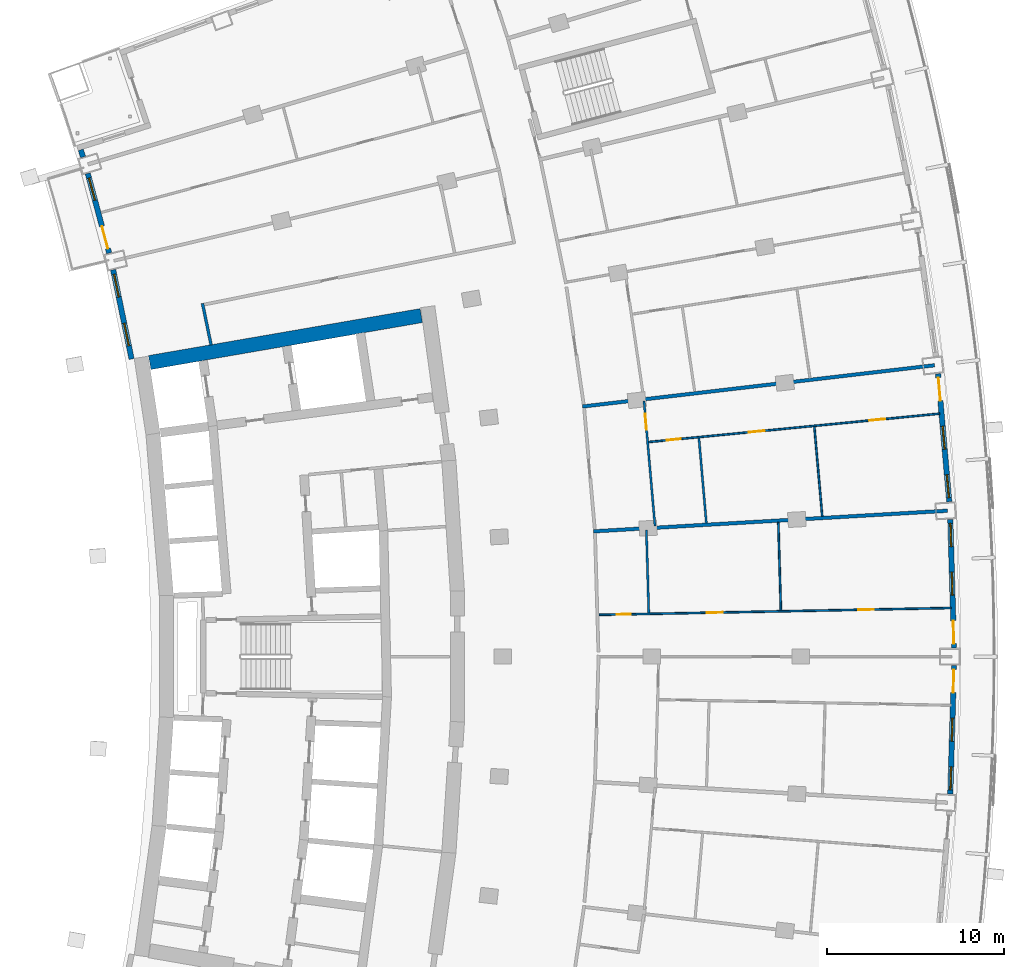
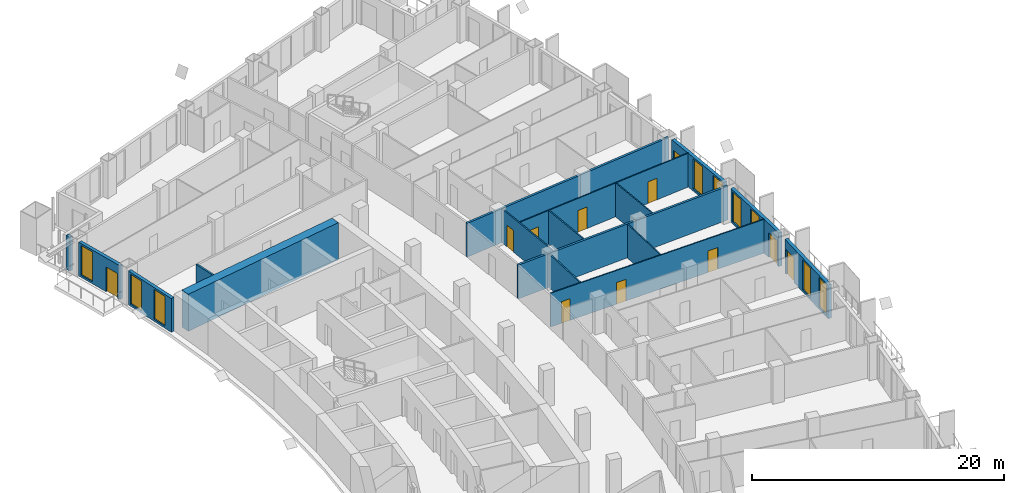
# One storey, part 18 of 25: 17 walls, 11 doors, 9 windows, 20 openings.
"""IFC4 building model written with IfcOpenShell, lengths in metres."""

from ifc_helpers import new_model, si_unit, direction, frame, frame_2d, origin, place, context, subcontext, project, spatial, rectangle, extrude, material, layer, layer_set, type_object, element, fill, save


model = new_model("IFC4")

# Units and contexts
model_context = context("Model", 3, precision=1e-05, world=origin(), true_north=direction((0.0, 1.0)))
body_context = subcontext(model_context, "Body", "Model", "MODEL_VIEW")
ifc_project = project(units=[si_unit("LENGTHUNIT", "METRE"), si_unit("AREAUNIT", "SQUARE_METRE"), si_unit("VOLUMEUNIT", "CUBIC_METRE"), si_unit("PLANEANGLEUNIT", "RADIAN"), si_unit("MASSUNIT", "GRAM", prefix="KILO")], contexts=[model_context])

# Site, building, storey
site_placement = place(None, origin())
site = spatial("IfcSite", under=ifc_project, at=site_placement, CompositionType="ELEMENT")
building_placement = place(site_placement, origin())
building = spatial("IfcBuilding", under=site, at=building_placement, Name="Alderwake Tower", CompositionType="ELEMENT")
storey_placement = place(building_placement, frame((0.0, 0.0, 111.199951171875)))
storey = spatial("IfcBuildingStorey", under=building, at=storey_placement, Name="L27", CompositionType="ELEMENT", Elevation=111.199951171875)

# Walls
ifc_material_1 = material(Name="Concrete C70/85", Category="concrete")
ifc_layer_1 = layer(ifc_material_1, 0.800048828125)
ifc_layer_set_1 = layer_set([ifc_layer_1], Name="Core wall outer 800 C70-85")
wall_type_1 = type_object("IfcWallType", Name="Core wall outer 800 C70-85", PredefinedType="SHEAR", material=ifc_layer_set_1)
wall_1_placement = place(storey_placement, frame((15.900146484375, 77.577880859375, 0.0), z_axis=(0.0, 0.0, 1.0), x_axis=(0.985386601125, 0.170332751763, 0.0)))
element("IfcWall", 1, at=wall_1_placement, inside=storey, type_object=wall_type_1, Name="Core wall CW.054", PredefinedType="SHEAR", context=body_context, shape_type="SweptSolid", body=[
    extrude(rectangle(XDim=15.531494140625, YDim=0.800048828125, at=frame_2d((7.765625, 0.0))), origin(), (0.0, 0.0, 1.0), 3.60009765625),
])
ifc_material_2 = material(Name="Gypsum board on metal studs, rated")
ifc_layer_2 = layer(ifc_material_2, 0.159912109375)
ifc_layer_set_2 = layer_set([ifc_layer_2], Name="Corridor wall 160")
wall_type_2 = type_object("IfcWallType", Name="Corridor wall 160", PredefinedType="PARTITIONING", material=ifc_layer_set_2)
wall_2_placement = place(storey_placement, frame((18.874755859375, 80.910400390625, 0.0), z_axis=(0.0, 0.0, 1.0), x_axis=(0.202312089075, -0.979321100873, 0.0)))
element("IfcWall", 2, at=wall_2_placement, inside=storey, type_object=wall_type_2, Name="WL/L27/W19", PredefinedType="PARTITIONING", context=body_context, shape_type="SweptSolid", body=[
    extrude(rectangle(XDim=2.39306640625, YDim=0.159912109375, at=frame_2d((1.196533203125, 0.0))), origin(), (0.0, 0.0, 1.0), 3.280029296875),
])

# Wall, openings, door, windows
ifc_material_3 = material(Name="Precast concrete C50/60 spandrel panel", Category="concrete")
ifc_layer_3 = layer(ifc_material_3, 0.300048828125)
ifc_layer_set_3 = layer_set([ifc_layer_3], Name="External wall EW1 Precast concrete C50/60 spandrel")
wall_type_3 = type_object("IfcWallType", Name="External wall EW1 Precast concrete C50/60 spandrel", PredefinedType="SOLIDWALL", material=ifc_layer_set_3)
wall_3_placement = place(storey_placement, frame((61.0244140625, 53.263916015625, 0.0), z_axis=(0.0, 0.0, 1.0), x_axis=(0.029132510791, 0.999575558332, 0.0)))
wall_3 = element("IfcWall", 3, at=wall_3_placement, inside=storey, type_object=wall_type_3, Name="External wall 16", PredefinedType="SOLIDWALL", context=body_context, shape_type="SweptSolid", body=[
    extrude(rectangle(XDim=7.24072265625, YDim=0.300048828125, at=frame_2d((3.620361328125, 0.0))), origin(), (0.0, 0.0, 1.0), 3.280029296875),
])
opening_1_placement = place(wall_3_placement, frame((0.22900390625, 0.0, 0.199951171875)))
opening_1 = element("IfcOpeningElement", 4, at=opening_1_placement, cuts=wall_3, Name="Opening W1", PredefinedType="OPENING", context=body_context, shape_type="SweptSolid", body=[
    extrude(rectangle(XDim=1.300048828125, YDim=2.89990234375, at=frame_2d((0.64990234375, 1.449951171875))), frame((0.0, 0.159912109375, 0.0), z_axis=(0.0, -1.0, 0.0), x_axis=(1.0, 0.0, 0.0)), (0.0, 0.0, 1.0), 0.320068359375),
])
opening_2_placement = place(wall_3_placement, frame((2.97021484375, 0.0, 0.199951171875)))
opening_2 = element("IfcOpeningElement", 5, at=opening_2_placement, cuts=wall_3, Name="Opening W1", PredefinedType="OPENING", context=body_context, shape_type="SweptSolid", body=[
    extrude(rectangle(XDim=1.300048828125, YDim=2.89990234375, at=frame_2d((0.64990234375, 1.449951171875))), frame((0.0, 0.159912109375, 0.0), z_axis=(0.0, -1.0, 0.0), x_axis=(1.0, 0.0, 0.0)), (0.0, 0.0, 1.0), 0.320068359375),
])
opening_3_placement = place(wall_3_placement, frame((5.711669921875, 0.0, 0.0)))
opening_3 = element("IfcOpeningElement", 6, at=opening_3_placement, cuts=wall_3, Name="Opening D06", PredefinedType="OPENING", context=body_context, shape_type="SweptSolid", body=[
    extrude(rectangle(XDim=1.300048828125, YDim=2.39990234375, at=frame_2d((0.64990234375, 1.199951171875))), frame((0.0, 0.159912109375, 0.0), z_axis=(0.0, -1.0, 0.0), x_axis=(1.0, 0.0, 0.0)), (0.0, 0.0, 1.0), 0.320068359375),
])
ifc_material_4 = material(Name="Bronze tinted glass in aluminium frame", Category="aluminium")
door_type_1 = type_object("IfcDoorType", Name="Balcony door BD sliding", OperationType="SLIDING_TO_LEFT", PredefinedType="DOOR", material=ifc_material_4)
door_1_placement = place(opening_3_placement, origin())
door_1 = element("IfcDoor", 7, at=door_1_placement, inside=storey, type_object=door_type_1, Name="Door D06", OperationType="SLIDING_TO_LEFT", OverallHeight=2.39990234375, OverallWidth=1.300048828125, PredefinedType="DOOR", context=body_context, shape_type="SweptSolid", body=[
    extrude(rectangle(XDim=1.300048828125, YDim=2.39990234375, at=frame_2d((0.64990234375, 1.199951171875))), frame((0.0, 0.02490234375, 0.0), z_axis=(0.0, -1.0, 0.0), x_axis=(1.0, 0.0, 0.0)), (0.0, 0.0, 1.0), 0.050048828125),
])
fill(opening_3, door_1)
ifc_material_5 = material(Name="Bronze tinted glass in aluminium frame", Category="aluminium")
window_type = type_object("IfcWindowType", Name="Window W1 tall fixed and vent", PartitioningType="DOUBLE_PANEL_VERTICAL", PredefinedType="WINDOW", material=ifc_material_5)
window_1_placement = place(opening_1_placement, origin())
window_1 = element("IfcWindow", 8, at=window_1_placement, inside=storey, type_object=window_type, Name="Window W1 tall fixed and vent", OverallHeight=2.89990234375, OverallWidth=1.300048828125, PartitioningType="DOUBLE_PANEL_VERTICAL", PredefinedType="WINDOW", context=body_context, shape_type="SweptSolid", body=[
    extrude(rectangle(XDim=1.300048828125, YDim=2.89990234375, at=frame_2d((0.64990234375, 1.449951171875))), frame((0.0, 0.030029296875, 0.0), z_axis=(0.0, -1.0, 0.0), x_axis=(1.0, 0.0, 0.0)), (0.0, 0.0, 1.0), 0.06005859375),
])
fill(opening_1, window_1)
window_2_placement = place(opening_2_placement, origin())
window_2 = element("IfcWindow", 9, at=window_2_placement, inside=storey, type_object=window_type, Name="Window W1 tall fixed and vent", OverallHeight=2.89990234375, OverallWidth=1.300048828125, PartitioningType="DOUBLE_PANEL_VERTICAL", PredefinedType="WINDOW", context=body_context, shape_type="SweptSolid", body=[
    extrude(rectangle(XDim=1.300048828125, YDim=2.89990234375, at=frame_2d((0.64990234375, 1.449951171875))), frame((0.0, 0.030029296875, 0.0), z_axis=(0.0, -1.0, 0.0), x_axis=(1.0, 0.0, 0.0)), (0.0, 0.0, 1.0), 0.06005859375),
])
fill(opening_2, window_2)

wall_4_placement = place(storey_placement, frame((61.2353515625, 61.49853515625, 0.0), z_axis=(0.0, 0.0, 1.0), x_axis=(-0.029132510791, 0.999575558332, 0.0)))
wall_4 = element("IfcWall", 10, at=wall_4_placement, inside=storey, type_object=wall_type_3, Name="External wall 17", PredefinedType="SOLIDWALL", context=body_context, shape_type="SweptSolid", body=[
    extrude(rectangle(XDim=7.24072265625, YDim=0.300048828125, at=frame_2d((3.620361328125, 0.0))), origin(), (0.0, 0.0, 1.0), 3.280029296875),
])
opening_4_placement = place(wall_4_placement, frame((0.22900390625, 0.0, 0.0)))
opening_4 = element("IfcOpeningElement", 11, at=opening_4_placement, cuts=wall_4, Name="Opening D07", PredefinedType="OPENING", context=body_context, shape_type="SweptSolid", body=[
    extrude(rectangle(XDim=1.300048828125, YDim=2.39990234375, at=frame_2d((0.64990234375, 1.199951171875))), frame((0.0, 0.159912109375, 0.0), z_axis=(0.0, -1.0, 0.0), x_axis=(1.0, 0.0, 0.0)), (0.0, 0.0, 1.0), 0.320068359375),
])
opening_5_placement = place(wall_4_placement, frame((2.97021484375, 0.0, 0.199951171875)))
opening_5 = element("IfcOpeningElement", 12, at=opening_5_placement, cuts=wall_4, Name="Opening W1", PredefinedType="OPENING", context=body_context, shape_type="SweptSolid", body=[
    extrude(rectangle(XDim=1.300048828125, YDim=2.89990234375, at=frame_2d((0.64990234375, 1.449951171875))), frame((0.0, 0.159912109375, 0.0), z_axis=(0.0, -1.0, 0.0), x_axis=(1.0, 0.0, 0.0)), (0.0, 0.0, 1.0), 0.320068359375),
])
opening_6_placement = place(wall_4_placement, frame((5.711669921875, 0.0, 0.199951171875)))
opening_6 = element("IfcOpeningElement", 13, at=opening_6_placement, cuts=wall_4, Name="Opening W1", PredefinedType="OPENING", context=body_context, shape_type="SweptSolid", body=[
    extrude(rectangle(XDim=1.300048828125, YDim=2.89990234375, at=frame_2d((0.64990234375, 1.449951171875))), frame((0.0, 0.159912109375, 0.0), z_axis=(0.0, -1.0, 0.0), x_axis=(1.0, 0.0, 0.0)), (0.0, 0.0, 1.0), 0.320068359375),
])
door_2_placement = place(opening_4_placement, origin())
door_2 = element("IfcDoor", 14, at=door_2_placement, inside=storey, type_object=door_type_1, Name="Door D07", OperationType="SLIDING_TO_LEFT", OverallHeight=2.39990234375, OverallWidth=1.300048828125, PredefinedType="DOOR", context=body_context, shape_type="SweptSolid", body=[
    extrude(rectangle(XDim=1.300048828125, YDim=2.39990234375, at=frame_2d((0.64990234375, 1.199951171875))), frame((0.0, 0.02490234375, 0.0), z_axis=(0.0, -1.0, 0.0), x_axis=(1.0, 0.0, 0.0)), (0.0, 0.0, 1.0), 0.050048828125),
])
fill(opening_4, door_2)
window_3_placement = place(opening_5_placement, origin())
window_3 = element("IfcWindow", 15, at=window_3_placement, inside=storey, type_object=window_type, Name="Window W1 tall fixed and vent", OverallHeight=2.89990234375, OverallWidth=1.300048828125, PartitioningType="DOUBLE_PANEL_VERTICAL", PredefinedType="WINDOW", context=body_context, shape_type="SweptSolid", body=[
    extrude(rectangle(XDim=1.300048828125, YDim=2.89990234375, at=frame_2d((0.64990234375, 1.449951171875))), frame((0.0, 0.030029296875, 0.0), z_axis=(0.0, -1.0, 0.0), x_axis=(1.0, 0.0, 0.0)), (0.0, 0.0, 1.0), 0.06005859375),
])
fill(opening_5, window_3)
window_4_placement = place(opening_6_placement, origin())
window_4 = element("IfcWindow", 16, at=window_4_placement, inside=storey, type_object=window_type, Name="Window W1 tall fixed and vent", OverallHeight=2.89990234375, OverallWidth=1.300048828125, PartitioningType="DOUBLE_PANEL_VERTICAL", PredefinedType="WINDOW", context=body_context, shape_type="SweptSolid", body=[
    extrude(rectangle(XDim=1.300048828125, YDim=2.89990234375, at=frame_2d((0.64990234375, 1.449951171875))), frame((0.0, 0.030029296875, 0.0), z_axis=(0.0, -1.0, 0.0), x_axis=(1.0, 0.0, 0.0)), (0.0, 0.0, 1.0), 0.06005859375),
])
fill(opening_6, window_4)

wall_5_placement = place(storey_placement, frame((60.96630859375, 69.731689453125, 0.0), z_axis=(0.0, 0.0, 1.0), x_axis=(-0.087394900945, 0.996173745533, 0.0)))
wall_5 = element("IfcWall", 17, at=wall_5_placement, inside=storey, type_object=wall_type_3, Name="External wall 18", PredefinedType="SOLIDWALL", context=body_context, shape_type="SweptSolid", body=[
    extrude(rectangle(XDim=7.24072265625, YDim=0.300048828125, at=frame_2d((3.620361328125, 0.0))), origin(), (0.0, 0.0, 1.0), 3.280029296875),
])
opening_7_placement = place(wall_5_placement, frame((0.22900390625, 0.0, 0.199951171875)))
opening_7 = element("IfcOpeningElement", 18, at=opening_7_placement, cuts=wall_5, Name="Opening W1", PredefinedType="OPENING", context=body_context, shape_type="SweptSolid", body=[
    extrude(rectangle(XDim=1.300048828125, YDim=2.89990234375, at=frame_2d((0.64990234375, 1.449951171875))), frame((0.0, 0.159912109375, 0.0), z_axis=(0.0, -1.0, 0.0), x_axis=(1.0, 0.0, 0.0)), (0.0, 0.0, 1.0), 0.320068359375),
])
opening_8_placement = place(wall_5_placement, frame((2.970458984375, 0.0, 0.199951171875)))
opening_8 = element("IfcOpeningElement", 19, at=opening_8_placement, cuts=wall_5, Name="Opening W1", PredefinedType="OPENING", context=body_context, shape_type="SweptSolid", body=[
    extrude(rectangle(XDim=1.300048828125, YDim=2.89990234375, at=frame_2d((0.64990234375, 1.449951171875))), frame((0.0, 0.159912109375, 0.0), z_axis=(0.0, -1.0, 0.0), x_axis=(1.0, 0.0, 0.0)), (0.0, 0.0, 1.0), 0.320068359375),
])
opening_9_placement = place(wall_5_placement, frame((5.711669921875, 0.0, 0.0)))
opening_9 = element("IfcOpeningElement", 20, at=opening_9_placement, cuts=wall_5, Name="Opening D08", PredefinedType="OPENING", context=body_context, shape_type="SweptSolid", body=[
    extrude(rectangle(XDim=1.300048828125, YDim=2.39990234375, at=frame_2d((0.64990234375, 1.199951171875))), frame((0.0, 0.159912109375, 0.0), z_axis=(0.0, -1.0, 0.0), x_axis=(1.0, 0.0, 0.0)), (0.0, 0.0, 1.0), 0.320068359375),
])
door_3_placement = place(opening_9_placement, origin())
door_3 = element("IfcDoor", 21, at=door_3_placement, inside=storey, type_object=door_type_1, Name="Door D08", OperationType="SLIDING_TO_LEFT", OverallHeight=2.39990234375, OverallWidth=1.300048828125, PredefinedType="DOOR", context=body_context, shape_type="SweptSolid", body=[
    extrude(rectangle(XDim=1.300048828125, YDim=2.39990234375, at=frame_2d((0.64990234375, 1.199951171875))), frame((0.0, 0.02490234375, 0.0), z_axis=(0.0, -1.0, 0.0), x_axis=(1.0, 0.0, 0.0)), (0.0, 0.0, 1.0), 0.050048828125),
])
fill(opening_9, door_3)
window_5_placement = place(opening_7_placement, origin())
window_5 = element("IfcWindow", 22, at=window_5_placement, inside=storey, type_object=window_type, Name="Window W1 tall fixed and vent", OverallHeight=2.89990234375, OverallWidth=1.300048828125, PartitioningType="DOUBLE_PANEL_VERTICAL", PredefinedType="WINDOW", context=body_context, shape_type="SweptSolid", body=[
    extrude(rectangle(XDim=1.300048828125, YDim=2.89990234375, at=frame_2d((0.64990234375, 1.449951171875))), frame((0.0, 0.030029296875, 0.0), z_axis=(0.0, -1.0, 0.0), x_axis=(1.0, 0.0, 0.0)), (0.0, 0.0, 1.0), 0.06005859375),
])
fill(opening_7, window_5)
window_6_placement = place(opening_8_placement, origin())
window_6 = element("IfcWindow", 23, at=window_6_placement, inside=storey, type_object=window_type, Name="Window W1 tall fixed and vent", OverallHeight=2.89990234375, OverallWidth=1.300048828125, PartitioningType="DOUBLE_PANEL_VERTICAL", PredefinedType="WINDOW", context=body_context, shape_type="SweptSolid", body=[
    extrude(rectangle(XDim=1.300048828125, YDim=2.89990234375, at=frame_2d((0.64990234375, 1.449951171875))), frame((0.0, 0.030029296875, 0.0), z_axis=(0.0, -1.0, 0.0), x_axis=(1.0, 0.0, 0.0)), (0.0, 0.0, 1.0), 0.06005859375),
])
fill(opening_8, window_6)

# Wall
wall_6_placement = place(storey_placement, frame((12.01416015625, 89.5703125, 0.0), z_axis=(0.0, 0.0, 1.0), x_axis=(0.294567190983, -0.955630770746, 0.0)))
element("IfcWall", 24, at=wall_6_placement, inside=storey, type_object=wall_type_3, Name="External wall 32", PredefinedType="SOLIDWALL", context=body_context, shape_type="SweptSolid", body=[
    extrude(rectangle(XDim=0.427734375, YDim=0.300048828125, at=frame_2d((0.2138671875, 0.0))), origin(), (0.0, 0.0, 1.0), 3.280029296875),
])

# Wall, openings, door, window
wall_7_placement = place(storey_placement, frame((12.406494140625, 88.237548828125, 0.0), z_axis=(0.0, 0.0, 1.0), x_axis=(0.259468933642, -0.965751454814, 0.0)))
wall_7 = element("IfcWall", 25, at=wall_7_placement, inside=storey, type_object=wall_type_3, Name="External wall 33", PredefinedType="SOLIDWALL", context=body_context, shape_type="SweptSolid", body=[
    extrude(rectangle(XDim=4.65087890625, YDim=0.300048828125, at=frame_2d((2.325439453125, 0.0))), origin(), (0.0, 0.0, 1.0), 3.280029296875),
])
opening_10_placement = place(wall_7_placement, frame((0.26708984375, 0.0, 0.199951171875)))
opening_10 = element("IfcOpeningElement", 26, at=opening_10_placement, cuts=wall_7, Name="Opening W1", PredefinedType="OPENING", context=body_context, shape_type="SweptSolid", body=[
    extrude(rectangle(XDim=1.300048828125, YDim=2.89990234375, at=frame_2d((0.64990234375, 1.449951171875))), frame((0.0, 0.159912109375, 0.0), z_axis=(0.0, -1.0, 0.0), x_axis=(1.0, 0.0, 0.0)), (0.0, 0.0, 1.0), 0.320068359375),
])
opening_11_placement = place(wall_7_placement, frame((3.083984375, 0.0, 0.0)))
opening_11 = element("IfcOpeningElement", 27, at=opening_11_placement, cuts=wall_7, Name="Opening D14", PredefinedType="OPENING", context=body_context, shape_type="SweptSolid", body=[
    extrude(rectangle(XDim=1.300048828125, YDim=2.39990234375, at=frame_2d((0.64990234375, 1.199951171875))), frame((0.0, 0.159912109375, 0.0), z_axis=(0.0, -1.0, 0.0), x_axis=(1.0, 0.0, 0.0)), (0.0, 0.0, 1.0), 0.320068359375),
])
door_4_placement = place(opening_11_placement, origin())
door_4 = element("IfcDoor", 28, at=door_4_placement, inside=storey, type_object=door_type_1, Name="Door D14", OperationType="SLIDING_TO_LEFT", OverallHeight=2.39990234375, OverallWidth=1.300048828125, PredefinedType="DOOR", context=body_context, shape_type="SweptSolid", body=[
    extrude(rectangle(XDim=1.300048828125, YDim=2.39990234375, at=frame_2d((0.64990234375, 1.199951171875))), frame((0.0, 0.02490234375, 0.0), z_axis=(0.0, -1.0, 0.0), x_axis=(1.0, 0.0, 0.0)), (0.0, 0.0, 1.0), 0.050048828125),
])
fill(opening_11, door_4)
window_7_placement = place(opening_10_placement, origin())
window_7 = element("IfcWindow", 29, at=window_7_placement, inside=storey, type_object=window_type, Name="Window W1 tall fixed and vent", OverallHeight=2.89990234375, OverallWidth=1.300048828125, PartitioningType="DOUBLE_PANEL_VERTICAL", PredefinedType="WINDOW", context=body_context, shape_type="SweptSolid", body=[
    extrude(rectangle(XDim=1.300048828125, YDim=2.89990234375, at=frame_2d((0.64990234375, 1.449951171875))), frame((0.0, 0.030029296875, 0.0), z_axis=(0.0, -1.0, 0.0), x_axis=(1.0, 0.0, 0.0)), (0.0, 0.0, 1.0), 0.06005859375),
])
fill(opening_10, window_7)

# Wall, openings, windows
wall_8_placement = place(storey_placement, frame((13.83740234375, 82.803955078125, 0.0), z_axis=(0.0, 0.0, 1.0), x_axis=(0.202723539143, -0.979236011734, 0.0)))
wall_8 = element("IfcWall", 30, at=wall_8_placement, inside=storey, type_object=wall_type_3, Name="External wall 34", PredefinedType="SOLIDWALL", context=body_context, shape_type="SweptSolid", body=[
    extrude(rectangle(XDim=5.134033203125, YDim=0.300048828125, at=frame_2d((2.56689453125, 0.0))), origin(), (0.0, 0.0, 1.0), 3.280029296875),
])
opening_12_placement = place(wall_8_placement, frame((0.264892578125, 0.0, 0.199951171875)))
opening_12 = element("IfcOpeningElement", 31, at=opening_12_placement, cuts=wall_8, Name="Opening W1", PredefinedType="OPENING", context=body_context, shape_type="SweptSolid", body=[
    extrude(rectangle(XDim=1.300048828125, YDim=2.89990234375, at=frame_2d((0.64990234375, 1.449951171875))), frame((0.0, 0.159912109375, 0.0), z_axis=(0.0, -1.0, 0.0), x_axis=(1.0, 0.0, 0.0)), (0.0, 0.0, 1.0), 0.320068359375),
])
opening_13_placement = place(wall_8_placement, frame((3.077392578125, 0.0, 0.199951171875)))
opening_13 = element("IfcOpeningElement", 32, at=opening_13_placement, cuts=wall_8, Name="Opening W1", PredefinedType="OPENING", context=body_context, shape_type="SweptSolid", body=[
    extrude(rectangle(XDim=1.300048828125, YDim=2.89990234375, at=frame_2d((0.64990234375, 1.449951171875))), frame((0.0, 0.159912109375, 0.0), z_axis=(0.0, -1.0, 0.0), x_axis=(1.0, 0.0, 0.0)), (0.0, 0.0, 1.0), 0.320068359375),
])
window_8_placement = place(opening_12_placement, origin())
window_8 = element("IfcWindow", 33, at=window_8_placement, inside=storey, type_object=window_type, Name="Window W1 tall fixed and vent", OverallHeight=2.89990234375, OverallWidth=1.300048828125, PartitioningType="DOUBLE_PANEL_VERTICAL", PredefinedType="WINDOW", context=body_context, shape_type="SweptSolid", body=[
    extrude(rectangle(XDim=1.300048828125, YDim=2.89990234375, at=frame_2d((0.64990234375, 1.449951171875))), frame((0.0, 0.030029296875, 0.0), z_axis=(0.0, -1.0, 0.0), x_axis=(1.0, 0.0, 0.0)), (0.0, 0.0, 1.0), 0.06005859375),
])
fill(opening_12, window_8)
window_9_placement = place(opening_13_placement, origin())
window_9 = element("IfcWindow", 34, at=window_9_placement, inside=storey, type_object=window_type, Name="Window W1 tall fixed and vent", OverallHeight=2.89990234375, OverallWidth=1.300048828125, PartitioningType="DOUBLE_PANEL_VERTICAL", PredefinedType="WINDOW", context=body_context, shape_type="SweptSolid", body=[
    extrude(rectangle(XDim=1.300048828125, YDim=2.89990234375, at=frame_2d((0.64990234375, 1.449951171875))), frame((0.0, 0.030029296875, 0.0), z_axis=(0.0, -1.0, 0.0), x_axis=(1.0, 0.0, 0.0)), (0.0, 0.0, 1.0), 0.06005859375),
])
fill(opening_13, window_9)

# Walls
ifc_material_6 = material(Name="Dense block masonry wall", Category="masonry")
ifc_layer_4 = layer(ifc_material_6, 0.199951171875)
ifc_layer_set_4 = layer_set([ifc_layer_4], Name="Party wall 200")
wall_type_4 = type_object("IfcWallType", Name="Party wall 200", PredefinedType="SOLIDWALL", material=ifc_layer_set_4)
wall_9_placement = place(storey_placement, frame((40.297607421875, 75.0986328125, 0.0), z_axis=(0.0, 0.0, 1.0), x_axis=(0.993203301945, 0.11639244394, 0.0)))
element("IfcWall", 35, at=wall_9_placement, inside=storey, type_object=wall_type_4, Name="WL/L27/W08", PredefinedType="SOLIDWALL", context=body_context, shape_type="SweptSolid", body=[
    extrude(rectangle(XDim=19.979248046875, YDim=0.199951171875, at=frame_2d((9.98974609375, 0.0))), origin(), (0.0, 0.0, 1.0), 3.280029296875),
])
wall_10_placement = place(storey_placement, frame((60.861083984375, 69.22509765625, 0.0), z_axis=(0.0, 0.0, 1.0), x_axis=(-0.998304911641, -0.058200544611, 0.0)))
element("IfcWall", 36, at=wall_10_placement, inside=storey, type_object=wall_type_4, Name="WL/L27/W11", PredefinedType="SOLIDWALL", context=body_context, shape_type="SweptSolid", body=[
    extrude(rectangle(XDim=19.97998046875, YDim=0.199951171875, at=frame_2d((9.989990234375, 0.0))), origin(), (0.0, 0.0, 1.0), 3.280029296875),
])

# Wall, openings, doors
ifc_material_7 = material(Name="Gypsum board on metal studs")
ifc_layer_5 = layer(ifc_material_7, 0.10009765625)
ifc_layer_set_5 = layer_set([ifc_layer_5], Name="Unit partition 100")
wall_type_5 = type_object("IfcWallType", Name="Unit partition 100", PredefinedType="PARTITIONING", material=ifc_layer_set_5)
wall_11_placement = place(storey_placement, frame((41.2099609375, 63.355712890625, 0.0), z_axis=(0.0, 0.0, 1.0), x_axis=(0.999809052465, 0.019541202855, 0.0)))
wall_11 = element("IfcWall", 37, at=wall_11_placement, inside=storey, type_object=wall_type_5, Name="WL/L27/W74", PredefinedType="PARTITIONING", context=body_context, shape_type="SweptSolid", body=[
    extrude(rectangle(XDim=19.864990234375, YDim=0.10009765625, at=frame_2d((9.9326171875, 0.0))), origin(), (0.0, 0.0, 1.0), 3.280029296875),
])
opening_14_placement = place(wall_11_placement, frame((6.093994140625, 0.0, 0.0)))
opening_14 = element("IfcOpeningElement", 38, at=opening_14_placement, cuts=wall_11, Name="Opening R07-U07.6", PredefinedType="OPENING", context=body_context, shape_type="SweptSolid", body=[
    extrude(rectangle(XDim=0.89990234375, YDim=2.10009765625, at=frame_2d((0.449951171875, 1.050048828125))), frame((0.0, 0.06005859375, 0.0), z_axis=(0.0, -1.0, 0.0), x_axis=(1.0, 0.0, 0.0)), (0.0, 0.0, 1.0), 0.1201171875),
])
opening_15_placement = place(wall_11_placement, frame((1.010009765625, 0.0, 0.0)))
opening_15 = element("IfcOpeningElement", 39, at=opening_15_placement, cuts=wall_11, Name="Opening R07-U07.7", PredefinedType="OPENING", context=body_context, shape_type="SweptSolid", body=[
    extrude(rectangle(XDim=0.800048828125, YDim=2.10009765625, at=frame_2d((0.39990234375, 1.050048828125))), frame((0.0, 0.06005859375, 0.0), z_axis=(0.0, -1.0, 0.0), x_axis=(1.0, 0.0, 0.0)), (0.0, 0.0, 1.0), 0.1201171875),
])
opening_16_placement = place(wall_11_placement, frame((14.615966796875, 0.0, 0.0)))
opening_16 = element("IfcOpeningElement", 40, at=opening_16_placement, cuts=wall_11, Name="Opening R07-U07.8", PredefinedType="OPENING", context=body_context, shape_type="SweptSolid", body=[
    extrude(rectangle(XDim=0.89990234375, YDim=2.10009765625, at=frame_2d((0.449951171875, 1.050048828125))), frame((0.0, 0.06005859375, 0.0), z_axis=(0.0, -1.0, 0.0), x_axis=(1.0, 0.0, 0.0)), (0.0, 0.0, 1.0), 0.1201171875),
])
ifc_material_8 = material(Name="Painted timber leaf", Category="wood")
door_type_2 = type_object("IfcDoorType", Name="Bathroom door 800", OperationType="SINGLE_SWING_LEFT", PredefinedType="DOOR", material=ifc_material_8)
door_5_placement = place(opening_15_placement, origin())
door_5 = element("IfcDoor", 41, at=door_5_placement, inside=storey, type_object=door_type_2, Name="DR/L27/U07.7", OperationType="SINGLE_SWING_LEFT", OverallHeight=2.10009765625, OverallWidth=0.800048828125, PredefinedType="DOOR", context=body_context, shape_type="SweptSolid", body=[
    extrude(rectangle(XDim=0.800048828125, YDim=2.10009765625, at=frame_2d((0.39990234375, 1.050048828125))), frame((0.0, 0.02490234375, 0.0), z_axis=(0.0, -1.0, 0.0), x_axis=(1.0, 0.0, 0.0)), (0.0, 0.0, 1.0), 0.050048828125),
])
fill(opening_15, door_5)
ifc_material_9 = material(Name="Painted timber leaf", Category="wood")
door_type_3 = type_object("IfcDoorType", Name="Room door 900", OperationType="SINGLE_SWING_LEFT", PredefinedType="DOOR", material=ifc_material_9)
door_6_placement = place(opening_14_placement, origin())
door_6 = element("IfcDoor", 42, at=door_6_placement, inside=storey, type_object=door_type_3, Name="DR/L27/U07.6", OperationType="SINGLE_SWING_LEFT", OverallHeight=2.10009765625, OverallWidth=0.89990234375, PredefinedType="DOOR", context=body_context, shape_type="SweptSolid", body=[
    extrude(rectangle(XDim=0.89990234375, YDim=2.10009765625, at=frame_2d((0.449951171875, 1.050048828125))), frame((0.0, 0.02490234375, 0.0), z_axis=(0.0, -1.0, 0.0), x_axis=(1.0, 0.0, 0.0)), (0.0, 0.0, 1.0), 0.050048828125),
])
fill(opening_14, door_6)
door_7_placement = place(opening_16_placement, origin())
door_7 = element("IfcDoor", 43, at=door_7_placement, inside=storey, type_object=door_type_3, Name="DR/L27/U07.8", OperationType="SINGLE_SWING_LEFT", OverallHeight=2.10009765625, OverallWidth=0.89990234375, PredefinedType="DOOR", context=body_context, shape_type="SweptSolid", body=[
    extrude(rectangle(XDim=0.89990234375, YDim=2.10009765625, at=frame_2d((0.449951171875, 1.050048828125))), frame((0.0, 0.02490234375, 0.0), z_axis=(0.0, -1.0, 0.0), x_axis=(1.0, 0.0, 0.0)), (0.0, 0.0, 1.0), 0.050048828125),
])
fill(opening_16, door_7)

wall_12_placement = place(storey_placement, frame((60.428955078125, 74.697021484375, 0.0), z_axis=(0.0, 0.0, 1.0), x_axis=(-0.995282242247, -0.097021947356, 0.0)))
wall_12 = element("IfcWall", 44, at=wall_12_placement, inside=storey, type_object=wall_type_5, Name="WL/L27/W77", PredefinedType="PARTITIONING", context=body_context, shape_type="SweptSolid", body=[
    extrude(rectangle(XDim=16.48193359375, YDim=0.10009765625, at=frame_2d((8.240966796875, 0.0))), origin(), (0.0, 0.0, 1.0), 3.280029296875),
])
opening_17_placement = place(wall_12_placement, frame((9.924072265625, 0.0, 0.0)))
opening_17 = element("IfcOpeningElement", 45, at=opening_17_placement, cuts=wall_12, Name="Opening R07-U08.1", PredefinedType="OPENING", context=body_context, shape_type="SweptSolid", body=[
    extrude(rectangle(XDim=0.89990234375, YDim=2.10009765625, at=frame_2d((0.449951171875, 1.050048828125))), frame((0.0, 0.06005859375, 0.0), z_axis=(0.0, -1.0, 0.0), x_axis=(1.0, 0.0, 0.0)), (0.0, 0.0, 1.0), 0.1201171875),
])
opening_18_placement = place(wall_12_placement, frame((14.662841796875, 0.0, 0.0)))
opening_18 = element("IfcOpeningElement", 46, at=opening_18_placement, cuts=wall_12, Name="Opening R07-U08.4", PredefinedType="OPENING", context=body_context, shape_type="SweptSolid", body=[
    extrude(rectangle(XDim=0.800048828125, YDim=2.10009765625, at=frame_2d((0.39990234375, 1.050048828125))), frame((0.0, 0.06005859375, 0.0), z_axis=(0.0, -1.0, 0.0), x_axis=(1.0, 0.0, 0.0)), (0.0, 0.0, 1.0), 0.1201171875),
])
opening_19_placement = place(wall_12_placement, frame((3.102294921875, 0.0, 0.0)))
opening_19 = element("IfcOpeningElement", 47, at=opening_19_placement, cuts=wall_12, Name="Opening R07-U08.5", PredefinedType="OPENING", context=body_context, shape_type="SweptSolid", body=[
    extrude(rectangle(XDim=0.89990234375, YDim=2.10009765625, at=frame_2d((0.449951171875, 1.050048828125))), frame((0.0, 0.06005859375, 0.0), z_axis=(0.0, -1.0, 0.0), x_axis=(1.0, 0.0, 0.0)), (0.0, 0.0, 1.0), 0.1201171875),
])
door_8_placement = place(opening_18_placement, origin())
door_8 = element("IfcDoor", 48, at=door_8_placement, inside=storey, type_object=door_type_2, Name="DR/L27/U08.4", OperationType="SINGLE_SWING_LEFT", OverallHeight=2.10009765625, OverallWidth=0.800048828125, PredefinedType="DOOR", context=body_context, shape_type="SweptSolid", body=[
    extrude(rectangle(XDim=0.800048828125, YDim=2.10009765625, at=frame_2d((0.39990234375, 1.050048828125))), frame((0.0, 0.02490234375, 0.0), z_axis=(0.0, -1.0, 0.0), x_axis=(1.0, 0.0, 0.0)), (0.0, 0.0, 1.0), 0.050048828125),
])
fill(opening_18, door_8)
door_9_placement = place(opening_17_placement, origin())
door_9 = element("IfcDoor", 49, at=door_9_placement, inside=storey, type_object=door_type_3, Name="DR/L27/U08.1", OperationType="SINGLE_SWING_LEFT", OverallHeight=2.10009765625, OverallWidth=0.89990234375, PredefinedType="DOOR", context=body_context, shape_type="SweptSolid", body=[
    extrude(rectangle(XDim=0.89990234375, YDim=2.10009765625, at=frame_2d((0.449951171875, 1.050048828125))), frame((0.0, 0.02490234375, 0.0), z_axis=(0.0, -1.0, 0.0), x_axis=(1.0, 0.0, 0.0)), (0.0, 0.0, 1.0), 0.050048828125),
])
fill(opening_17, door_9)
door_10_placement = place(opening_19_placement, origin())
door_10 = element("IfcDoor", 50, at=door_10_placement, inside=storey, type_object=door_type_3, Name="DR/L27/U08.5", OperationType="SINGLE_SWING_LEFT", OverallHeight=2.10009765625, OverallWidth=0.89990234375, PredefinedType="DOOR", context=body_context, shape_type="SweptSolid", body=[
    extrude(rectangle(XDim=0.89990234375, YDim=2.10009765625, at=frame_2d((0.449951171875, 1.050048828125))), frame((0.0, 0.02490234375, 0.0), z_axis=(0.0, -1.0, 0.0), x_axis=(1.0, 0.0, 0.0)), (0.0, 0.0, 1.0), 0.050048828125),
])
fill(opening_19, door_10)

# Walls
wall_13_placement = place(storey_placement, frame((51.4755859375, 63.60498046875, 0.0), z_axis=(0.0, 0.0, 1.0), x_axis=(-0.029342722012, 0.999569409628, 0.0)))
element("IfcWall", 51, at=wall_13_placement, inside=storey, type_object=wall_type_5, Name="WL/L27/W86", PredefinedType="PARTITIONING", context=body_context, shape_type="SweptSolid", body=[
    extrude(rectangle(XDim=4.96728515625, YDim=0.10009765625, at=frame_2d((2.483642578125, 0.0))), origin(), (0.0, 0.0, 1.0), 3.280029296875),
])
wall_14_placement = place(storey_placement, frame((53.80517578125, 68.913818359375, 0.0), z_axis=(0.0, 0.0, 1.0), x_axis=(-0.087474417373, 0.996166766312, 0.0)))
element("IfcWall", 52, at=wall_14_placement, inside=storey, type_object=wall_type_5, Name="WL/L27/W90", PredefinedType="PARTITIONING", context=body_context, shape_type="SweptSolid", body=[
    extrude(rectangle(XDim=5.062744140625, YDim=0.10009765625, at=frame_2d((2.53125, 0.0))), origin(), (0.0, 0.0, 1.0), 3.280029296875),
])

# Wall, opening, door
ifc_material_10 = material(Name="Moisture resistant gypsum board on metal studs")
ifc_layer_6 = layer(ifc_material_10, 0.1201171875)
ifc_layer_set_6 = layer_set([ifc_layer_6], Name="Wet room partition 120")
wall_type_6 = type_object("IfcWallType", Name="Wet room partition 120", PredefinedType="PARTITIONING", material=ifc_layer_set_6)
wall_15_placement = place(storey_placement, frame((43.7607421875, 75.404296875, 0.0), z_axis=(0.0, 0.0, 1.0), x_axis=(0.087510659507, -0.996163583189, 0.0)))
wall_15 = element("IfcWall", 53, at=wall_15_placement, inside=storey, type_object=wall_type_6, Name="WL/L27/W58", PredefinedType="PARTITIONING", context=body_context, shape_type="SweptSolid", body=[
    extrude(rectangle(XDim=7.066650390625, YDim=0.1201171875, at=frame_2d((3.533203125, 0.0))), origin(), (0.0, 0.0, 1.0), 3.280029296875),
])
opening_20_placement = place(wall_15_placement, frame((0.71142578125, 0.0, 0.0)))
opening_20 = element("IfcOpeningElement", 54, at=opening_20_placement, cuts=wall_15, Name="Opening R07-U08.3", PredefinedType="OPENING", context=body_context, shape_type="SweptSolid", body=[
    extrude(rectangle(XDim=0.89990234375, YDim=2.10009765625, at=frame_2d((0.449951171875, 1.050048828125))), frame((0.0, 0.070068359375, 0.0), z_axis=(0.0, -1.0, 0.0), x_axis=(1.0, 0.0, 0.0)), (0.0, 0.0, 1.0), 0.14013671875),
])
door_11_placement = place(opening_20_placement, origin())
door_11 = element("IfcDoor", 55, at=door_11_placement, inside=storey, type_object=door_type_3, Name="DR/L27/U08.3", OperationType="SINGLE_SWING_LEFT", OverallHeight=2.10009765625, OverallWidth=0.89990234375, PredefinedType="DOOR", context=body_context, shape_type="SweptSolid", body=[
    extrude(rectangle(XDim=0.89990234375, YDim=2.10009765625, at=frame_2d((0.449951171875, 1.050048828125))), frame((0.0, 0.02490234375, 0.0), z_axis=(0.0, -1.0, 0.0), x_axis=(1.0, 0.0, 0.0)), (0.0, 0.0, 1.0), 0.050048828125),
])
fill(opening_20, door_11)

# Walls
wall_16_placement = place(storey_placement, frame((44.029541015625, 63.4609375, 0.0), z_axis=(0.0, 0.0, 1.0), x_axis=(-0.029237951874, 0.999572479698, 0.0)))
element("IfcWall", 56, at=wall_16_placement, inside=storey, type_object=wall_type_6, Name="WL/L27/W59", PredefinedType="PARTITIONING", context=body_context, shape_type="SweptSolid", body=[
    extrude(rectangle(XDim=4.676025390625, YDim=0.1201171875, at=frame_2d((2.337890625, 0.0))), origin(), (0.0, 0.0, 1.0), 3.280029296875),
])
wall_17_placement = place(storey_placement, frame((47.2744140625, 68.53271484375, 0.0), z_axis=(0.0, 0.0, 1.0), x_axis=(-0.087155609358, 0.996194709762, 0.0)))
element("IfcWall", 57, at=wall_17_placement, inside=storey, type_object=wall_type_6, Name="WL/L27/W66", PredefinedType="PARTITIONING", context=body_context, shape_type="SweptSolid", body=[
    extrude(rectangle(XDim=4.806884765625, YDim=0.1201171875, at=frame_2d((2.4033203125, 0.0))), origin(), (0.0, 0.0, 1.0), 3.280029296875),
])

save(model, "model.ifc")
